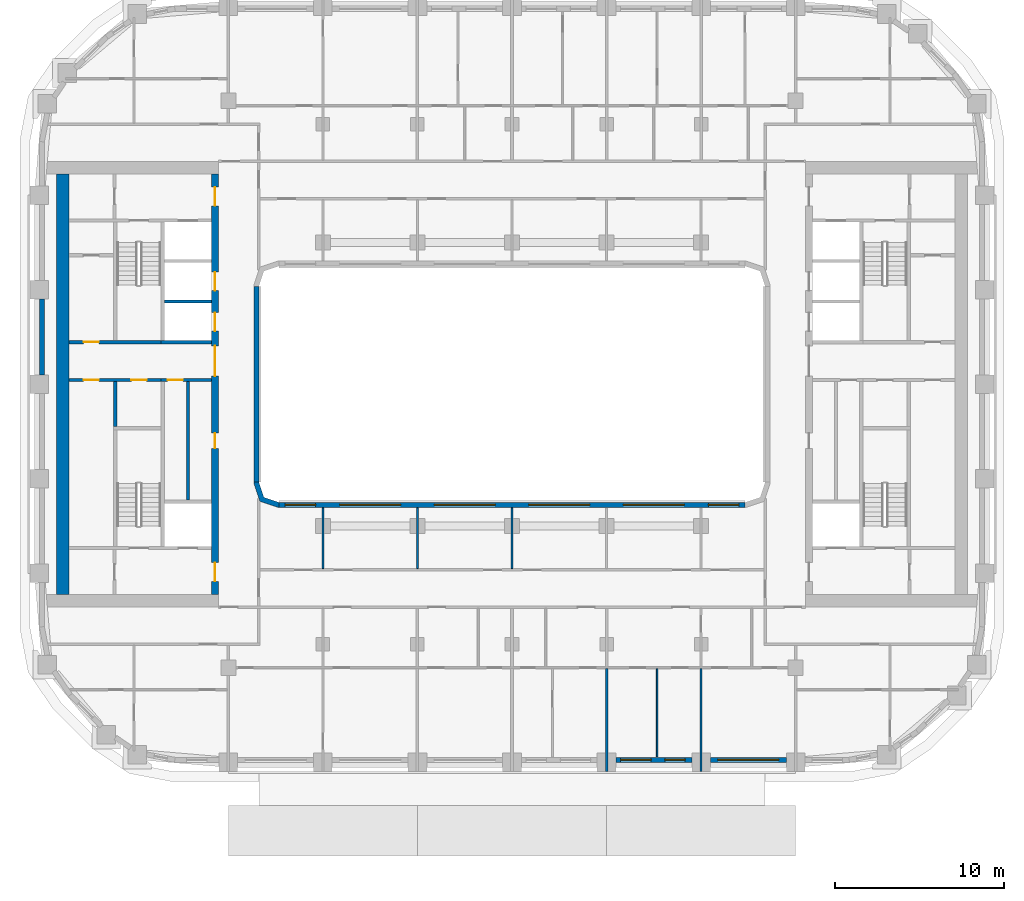
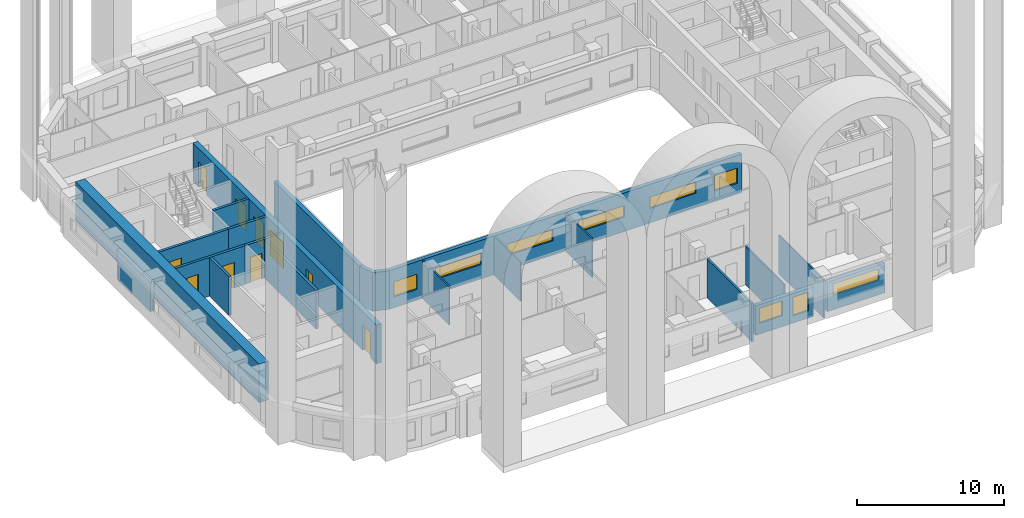
# One storey, part 4 of 18: 21 walls, 10 doors, 9 windows, 19 openings.
"""IFC4 building model written with IfcOpenShell, lengths in metres."""

from ifc_helpers import new_model, si_unit, direction, frame, frame_2d, origin, place, context, subcontext, project, spatial, polyline, rectangle, outline, extrude, material, layer, layer_set, type_object, element, fill, save


model = new_model("IFC4")

# Units and contexts
model_context = context("Model", 3, precision=1e-05, world=origin(), true_north=direction((0.0, 1.0)))
body_context = subcontext(model_context, "Body", "Model", "MODEL_VIEW")
ifc_project = project(units=[si_unit("LENGTHUNIT", "METRE"), si_unit("AREAUNIT", "SQUARE_METRE"), si_unit("VOLUMEUNIT", "CUBIC_METRE"), si_unit("PLANEANGLEUNIT", "RADIAN"), si_unit("MASSUNIT", "GRAM", prefix="KILO")], contexts=[model_context])

# Site, building, storey
site_placement = place(None, origin())
site = spatial("IfcSite", under=ifc_project, at=site_placement, CompositionType="ELEMENT")
building_placement = place(site_placement, origin())
building = spatial("IfcBuilding", under=site, at=building_placement, Name="Kiln Ring Residences", CompositionType="ELEMENT")
storey_placement = place(building_placement, frame((0.0, 0.0, 136.10009765625)))
storey = spatial("IfcBuildingStorey", under=building, at=storey_placement, Name="L34", CompositionType="ELEMENT", Elevation=136.10009765625)

# Wall
ifc_material_1 = material(Name="Gypsum board on steel studs", Category="steel")
ifc_layer_1 = layer(ifc_material_1, 0.199951171875)
ifc_layer_set_1 = layer_set([ifc_layer_1], Name="CORE-PARTITION-200")
wall_type_1 = type_object("IfcWallType", Name="CORE-PARTITION-200", PredefinedType="PARTITIONING", material=ifc_layer_set_1)
wall_1_placement = place(storey_placement, frame((-23.5, -2.5, 0.0), z_axis=(0.0, 0.0, 1.0), x_axis=(0.0, 1.0, 0.0)))
element("IfcWall", 1, at=wall_1_placement, inside=storey, type_object=wall_type_1, Name="Core partition west L34 1", PredefinedType="PARTITIONING", context=body_context, shape_type="SweptSolid", body=[
    extrude(rectangle(XDim=2.64990234375, YDim=0.199951171875, at=frame_2d((1.324951171875, 0.0))), origin(), (0.0, 0.0, 1.0), 3.199951171875),
])

# Wall, openings, doors
wall_2_placement = place(storey_placement, frame((-20.800048828125, 0.25, 0.0), z_axis=(0.0, 0.0, 1.0), x_axis=(-1.0, 0.0, 0.0)))
wall_2 = element("IfcWall", 2, at=wall_2_placement, inside=storey, type_object=wall_type_1, Name="Core partition west L34 2", PredefinedType="PARTITIONING", context=body_context, shape_type="SweptSolid", body=[
    extrude(rectangle(XDim=5.449951171875, YDim=0.199951171875, at=frame_2d((2.72509765625, 0.0))), origin(), (0.0, 0.0, 1.0), 3.199951171875),
])
opening_1_placement = place(wall_2_placement, frame((0.85009765625, 0.0, 0.0)))
opening_1 = element("IfcOpeningElement", 3, at=opening_1_placement, cuts=wall_2, Name="Opening L34-CW14", PredefinedType="OPENING", context=body_context, shape_type="SweptSolid", body=[
    extrude(rectangle(XDim=0.89990234375, YDim=2.10009765625, at=frame_2d((0.449951171875, 1.050048828125))), frame((0.0, 0.10986328125, 0.0), z_axis=(0.0, -1.0, 0.0), x_axis=(1.0, 0.0, 0.0)), (0.0, 0.0, 1.0), 0.219970703125),
])
opening_2_placement = place(wall_2_placement, frame((3.675048828125, 0.0, 0.0)))
opening_2 = element("IfcOpeningElement", 4, at=opening_2_placement, cuts=wall_2, Name="Opening L34-CW15", PredefinedType="OPENING", context=body_context, shape_type="SweptSolid", body=[
    extrude(rectangle(XDim=0.89990234375, YDim=2.10009765625, at=frame_2d((0.449951171875, 1.050048828125))), frame((0.0, 0.10986328125, 0.0), z_axis=(0.0, -1.0, 0.0), x_axis=(1.0, 0.0, 0.0)), (0.0, 0.0, 1.0), 0.219970703125),
])
ifc_material_2 = material(Name="Steel door leaf", Category="steel")
door_type_1 = type_object("IfcDoorType", Name="CORE-DOOR-ROOM", OperationType="SINGLE_SWING_LEFT", PredefinedType="DOOR", material=ifc_material_2)
door_1_placement = place(opening_1_placement, origin())
door_1 = element("IfcDoor", 5, at=door_1_placement, inside=storey, type_object=door_type_1, Name="Refuse and recycling room L34-CW14", OperationType="SINGLE_SWING_RIGHT", OverallHeight=2.10009765625, OverallWidth=0.89990234375, PredefinedType="DOOR", context=body_context, shape_type="SweptSolid", body=[
    extrude(rectangle(XDim=0.89990234375, YDim=2.10009765625, at=frame_2d((0.449951171875, 1.050048828125))), frame((0.0, 0.02490234375, 0.0), z_axis=(0.0, -1.0, 0.0), x_axis=(1.0, 0.0, 0.0)), (0.0, 0.0, 1.0), 0.050048828125),
])
fill(opening_1, door_1)
door_2_placement = place(opening_2_placement, origin())
door_2 = element("IfcDoor", 6, at=door_2_placement, inside=storey, type_object=door_type_1, Name="Water tank room L34-CW15", OperationType="SINGLE_SWING_LEFT", OverallHeight=2.10009765625, OverallWidth=0.89990234375, PredefinedType="DOOR", context=body_context, shape_type="SweptSolid", body=[
    extrude(rectangle(XDim=0.89990234375, YDim=2.10009765625, at=frame_2d((0.449951171875, 1.050048828125))), frame((0.0, 0.02490234375, 0.0), z_axis=(0.0, -1.0, 0.0), x_axis=(1.0, 0.0, 0.0)), (0.0, 0.0, 1.0), 0.050048828125),
])
fill(opening_2, door_2)

# Wall
wall_3_placement = place(storey_placement, frame((-19.199951171875, -6.85009765625, 0.0), z_axis=(0.0, 0.0, 1.0), x_axis=(0.0, 1.0, 0.0)))
element("IfcWall", 7, at=wall_3_placement, inside=storey, type_object=wall_type_1, Name="Core partition west L34 3", PredefinedType="PARTITIONING", context=body_context, shape_type="SweptSolid", body=[
    extrude(rectangle(XDim=7.0, YDim=0.199951171875, at=frame_2d((3.5, 0.0))), origin(), (0.0, 0.0, 1.0), 3.199951171875),
])

# Wall, opening, door
ifc_material_3 = material(Name="Gypsum shaft wall system")
ifc_layer_2 = layer(ifc_material_3, 0.199951171875)
ifc_layer_set_2 = layer_set([ifc_layer_2], Name="CORE-SHAFT-WALL-200")
wall_type_2 = type_object("IfcWallType", Name="CORE-SHAFT-WALL-200", PredefinedType="PARTITIONING", material=ifc_layer_set_2)
wall_4_placement = place(storey_placement, frame((-17.800048828125, 0.25, 0.0), z_axis=(0.0, 0.0, 1.0), x_axis=(-1.0, 0.0, 0.0)))
wall_4 = element("IfcWall", 8, at=wall_4_placement, inside=storey, type_object=wall_type_2, Name="Core partition west L34 8", PredefinedType="PARTITIONING", context=body_context, shape_type="SweptSolid", body=[
    extrude(rectangle(XDim=3.0, YDim=0.199951171875, at=frame_2d((1.5, 0.0))), origin(), (0.0, 0.0, 1.0), 3.199951171875),
])
opening_3_placement = place(wall_4_placement, frame((1.699951171875, 0.0, 0.0)))
opening_3 = element("IfcOpeningElement", 9, at=opening_3_placement, cuts=wall_4, Name="Opening L34-CW03", PredefinedType="OPENING", context=body_context, shape_type="SweptSolid", body=[
    extrude(rectangle(XDim=0.89990234375, YDim=2.10009765625, at=frame_2d((0.449951171875, 1.050048828125))), frame((0.0, 0.10986328125, 0.0), z_axis=(0.0, -1.0, 0.0), x_axis=(1.0, 0.0, 0.0)), (0.0, 0.0, 1.0), 0.219970703125),
])
door_3_placement = place(opening_3_placement, origin())
door_3 = element("IfcDoor", 10, at=door_3_placement, inside=storey, type_object=door_type_1, Name="Locker store L34-CW03", OperationType="SINGLE_SWING_LEFT", OverallHeight=2.10009765625, OverallWidth=0.89990234375, PredefinedType="DOOR", context=body_context, shape_type="SweptSolid", body=[
    extrude(rectangle(XDim=0.89990234375, YDim=2.10009765625, at=frame_2d((0.449951171875, 1.050048828125))), frame((0.0, 0.02490234375, 0.0), z_axis=(0.0, -1.0, 0.0), x_axis=(1.0, 0.0, 0.0)), (0.0, 0.0, 1.0), 0.050048828125),
])
fill(opening_3, door_3)

# Walls
wall_5_placement = place(storey_placement, frame((-17.800048828125, 2.5, 0.0), z_axis=(0.0, 0.0, 1.0), x_axis=(-1.0, 0.0, 0.0)))
element("IfcWall", 11, at=wall_5_placement, inside=storey, type_object=wall_type_2, Name="Core partition west L34 9", PredefinedType="PARTITIONING", context=body_context, shape_type="SweptSolid", body=[
    extrude(rectangle(XDim=3.0, YDim=0.199951171875, at=frame_2d((1.5, 0.0))), origin(), (0.0, 0.0, 1.0), 3.199951171875),
])
wall_6_placement = place(storey_placement, frame((-17.800048828125, 4.89990234375, 0.0), z_axis=(0.0, 0.0, 1.0), x_axis=(-1.0, 0.0, 0.0)))
element("IfcWall", 12, at=wall_6_placement, inside=storey, type_object=wall_type_2, Name="Core partition west L34 10", PredefinedType="PARTITIONING", context=body_context, shape_type="SweptSolid", body=[
    extrude(rectangle(XDim=2.800048828125, YDim=0.199951171875, at=frame_2d((1.39990234375, 0.0))), origin(), (0.0, 0.0, 1.0), 3.199951171875),
])

# Wall, opening, door
ifc_material_4 = material(Name="Concrete C40/50", Category="concrete")
ifc_layer_3 = layer(ifc_material_4, 0.199951171875)
ifc_layer_set_3 = layer_set([ifc_layer_3], Name="CORE-WALL-RC200")
wall_type_3 = type_object("IfcWallType", Name="CORE-WALL-RC200", PredefinedType="SHEAR", material=ifc_layer_set_3)
wall_7_placement = place(storey_placement, frame((-20.800048828125, 2.5, 0.0), z_axis=(0.0, 0.0, 1.0), x_axis=(-1.0, 0.0, 0.0)))
wall_7 = element("IfcWall", 13, at=wall_7_placement, inside=storey, type_object=wall_type_3, Name="Core wall west L34 3", PredefinedType="SHEAR", context=body_context, shape_type="SweptSolid", body=[
    extrude(rectangle(XDim=5.449951171875, YDim=0.199951171875, at=frame_2d((2.72509765625, 0.0))), origin(), (0.0, 0.0, 1.0), 3.199951171875),
])
opening_4_placement = place(wall_7_placement, frame((3.675048828125, 0.0, 0.0)))
opening_4 = element("IfcOpeningElement", 14, at=opening_4_placement, cuts=wall_7, Name="Opening L34-CW17", PredefinedType="OPENING", context=body_context, shape_type="SweptSolid", body=[
    extrude(rectangle(XDim=0.89990234375, YDim=2.10009765625, at=frame_2d((0.449951171875, 1.050048828125))), frame((0.0, 0.10986328125, 0.0), z_axis=(0.0, -1.0, 0.0), x_axis=(1.0, 0.0, 0.0)), (0.0, 0.0, 1.0), 0.219970703125),
])
door_4_placement = place(opening_4_placement, origin())
door_4 = element("IfcDoor", 15, at=door_4_placement, inside=storey, type_object=door_type_1, Name="Electrical plant room L34-CW17", OperationType="SINGLE_SWING_RIGHT", OverallHeight=2.10009765625, OverallWidth=0.89990234375, PredefinedType="DOOR", context=body_context, shape_type="SweptSolid", body=[
    extrude(rectangle(XDim=0.89990234375, YDim=2.10009765625, at=frame_2d((0.449951171875, 1.050048828125))), frame((0.0, 0.02490234375, 0.0), z_axis=(0.0, -1.0, 0.0), x_axis=(1.0, 0.0, 0.0)), (0.0, 0.0, 1.0), 0.050048828125),
])
fill(opening_4, door_4)

# Wall, openings, doors
ifc_material_5 = material(Name="Concrete C60/75", Category="concrete")
ifc_layer_4 = layer(ifc_material_5, 0.39990234375)
ifc_layer_set_4 = layer_set([ifc_layer_4], Name="CORE-WALL-RC400")
wall_type_4 = type_object("IfcWallType", Name="CORE-WALL-RC400", PredefinedType="SHEAR", material=ifc_layer_set_4)
wall_8_placement = place(storey_placement, frame((-17.60009765625, -12.449951171875, 0.0), z_axis=(0.0, 0.0, 1.0), x_axis=(0.0, 1.0, 0.0)))
wall_8 = element("IfcWall", 16, at=wall_8_placement, inside=storey, type_object=wall_type_4, Name="Core wall west L34 6", PredefinedType="SHEAR", context=body_context, shape_type="SweptSolid", body=[
    extrude(rectangle(XDim=24.89990234375, YDim=0.39990234375, at=frame_2d((12.449951171875, 0.0))), origin(), (0.0, 0.0, 1.0), 3.199951171875),
])
opening_5_placement = place(wall_8_placement, frame((8.64990234375, 0.0, 0.0)))
opening_5 = element("IfcOpeningElement", 17, at=opening_5_placement, cuts=wall_8, Name="Opening L34-CW02", PredefinedType="OPENING", context=body_context, shape_type="SweptSolid", body=[
    extrude(rectangle(XDim=0.89990234375, YDim=2.10009765625, at=frame_2d((0.449951171875, 1.050048828125))), frame((0.0, 0.2099609375, 0.0), z_axis=(0.0, -1.0, 0.0), x_axis=(1.0, 0.0, 0.0)), (0.0, 0.0, 1.0), 0.419921875),
])
opening_6_placement = place(wall_8_placement, frame((15.60009765625, 0.0, 0.0)))
opening_6 = element("IfcOpeningElement", 18, at=opening_6_placement, cuts=wall_8, Name="Opening L34-CW04", PredefinedType="OPENING", context=body_context, shape_type="SweptSolid", body=[
    extrude(rectangle(XDim=1.10009765625, YDim=2.10009765625, at=frame_2d((0.550048828125, 1.050048828125))), frame((0.0, 0.2099609375, 0.0), z_axis=(0.0, -1.0, 0.0), x_axis=(1.0, 0.0, 0.0)), (0.0, 0.0, 1.0), 0.419921875),
])
opening_7_placement = place(wall_8_placement, frame((18.0, 0.0, 0.0)))
opening_7 = element("IfcOpeningElement", 19, at=opening_7_placement, cuts=wall_8, Name="Opening L34-CW05", PredefinedType="OPENING", context=body_context, shape_type="SweptSolid", body=[
    extrude(rectangle(XDim=1.10009765625, YDim=2.10009765625, at=frame_2d((0.550048828125, 1.050048828125))), frame((0.0, 0.2099609375, 0.0), z_axis=(0.0, -1.0, 0.0), x_axis=(1.0, 0.0, 0.0)), (0.0, 0.0, 1.0), 0.419921875),
])
opening_8_placement = place(wall_8_placement, frame((23.02490234375, 0.0, 0.0)))
opening_8 = element("IfcOpeningElement", 20, at=opening_8_placement, cuts=wall_8, Name="Opening L34-CW07", PredefinedType="OPENING", context=body_context, shape_type="SweptSolid", body=[
    extrude(rectangle(XDim=1.10009765625, YDim=2.10009765625, at=frame_2d((0.550048828125, 1.050048828125))), frame((0.0, 0.2099609375, 0.0), z_axis=(0.0, -1.0, 0.0), x_axis=(1.0, 0.0, 0.0)), (0.0, 0.0, 1.0), 0.419921875),
])
opening_9_placement = place(wall_8_placement, frame((0.77490234375, 0.0, 0.0)))
opening_9 = element("IfcOpeningElement", 21, at=opening_9_placement, cuts=wall_8, Name="Opening L34-CW08", PredefinedType="OPENING", context=body_context, shape_type="SweptSolid", body=[
    extrude(rectangle(XDim=1.10009765625, YDim=2.10009765625, at=frame_2d((0.550048828125, 1.050048828125))), frame((0.0, 0.2099609375, 0.0), z_axis=(0.0, -1.0, 0.0), x_axis=(1.0, 0.0, 0.0)), (0.0, 0.0, 1.0), 0.419921875),
])
opening_10_placement = place(wall_8_placement, frame((12.925048828125, 0.0, 0.0)))
opening_10 = element("IfcOpeningElement", 22, at=opening_10_placement, cuts=wall_8, Name="Opening L34-CW13", PredefinedType="OPENING", context=body_context, shape_type="SweptSolid", body=[
    extrude(rectangle(XDim=1.800048828125, YDim=2.10009765625, at=frame_2d((0.89990234375, 1.050048828125))), frame((0.0, 0.2099609375, 0.0), z_axis=(0.0, -1.0, 0.0), x_axis=(1.0, 0.0, 0.0)), (0.0, 0.0, 1.0), 0.419921875),
])
ifc_material_6 = material(Name="Steel door leaf", Category="steel")
door_type_2 = type_object("IfcDoorType", Name="CORE-DOOR-LD", OperationType="DOUBLE_DOOR_SLIDING", PredefinedType="DOOR", material=ifc_material_6)
door_5_placement = place(opening_6_placement, origin())
door_5 = element("IfcDoor", 23, at=door_5_placement, inside=storey, type_object=door_type_2, Name="LD W-M1 L34-CW04", OperationType="DOUBLE_DOOR_SLIDING", OverallHeight=2.10009765625, OverallWidth=1.10009765625, PredefinedType="DOOR", context=body_context, shape_type="SweptSolid", body=[
    extrude(rectangle(XDim=1.10009765625, YDim=2.10009765625, at=frame_2d((0.550048828125, 1.050048828125))), frame((0.0, 0.02490234375, 0.0), z_axis=(0.0, -1.0, 0.0), x_axis=(1.0, 0.0, 0.0)), (0.0, 0.0, 1.0), 0.050048828125),
])
fill(opening_6, door_5)
door_6_placement = place(opening_7_placement, origin())
door_6 = element("IfcDoor", 24, at=door_6_placement, inside=storey, type_object=door_type_2, Name="LD W-M2 L34-CW05", OperationType="DOUBLE_DOOR_SLIDING", OverallHeight=2.10009765625, OverallWidth=1.10009765625, PredefinedType="DOOR", context=body_context, shape_type="SweptSolid", body=[
    extrude(rectangle(XDim=1.10009765625, YDim=2.10009765625, at=frame_2d((0.550048828125, 1.050048828125))), frame((0.0, 0.02490234375, 0.0), z_axis=(0.0, -1.0, 0.0), x_axis=(1.0, 0.0, 0.0)), (0.0, 0.0, 1.0), 0.050048828125),
])
fill(opening_7, door_6)
ifc_material_7 = material(Name="Steel door leaf", Category="steel")
door_type_3 = type_object("IfcDoorType", Name="CORE-DOOR-LOBBY", OperationType="SINGLE_SWING_LEFT", PredefinedType="DOOR", material=ifc_material_7)
door_7_placement = place(opening_8_placement, origin())
door_7 = element("IfcDoor", 25, at=door_7_placement, inside=storey, type_object=door_type_3, Name="FFL L34-CW07", OperationType="SINGLE_SWING_RIGHT", OverallHeight=2.10009765625, OverallWidth=1.10009765625, PredefinedType="DOOR", context=body_context, shape_type="SweptSolid", body=[
    extrude(rectangle(XDim=1.10009765625, YDim=2.10009765625, at=frame_2d((0.550048828125, 1.050048828125))), frame((0.0, 0.02490234375, 0.0), z_axis=(0.0, -1.0, 0.0), x_axis=(1.0, 0.0, 0.0)), (0.0, 0.0, 1.0), 0.050048828125),
])
fill(opening_8, door_7)
door_8_placement = place(opening_9_placement, origin())
door_8 = element("IfcDoor", 26, at=door_8_placement, inside=storey, type_object=door_type_3, Name="SVL L34-CW08", OperationType="SINGLE_SWING_LEFT", OverallHeight=2.10009765625, OverallWidth=1.10009765625, PredefinedType="DOOR", context=body_context, shape_type="SweptSolid", body=[
    extrude(rectangle(XDim=1.10009765625, YDim=2.10009765625, at=frame_2d((0.550048828125, 1.050048828125))), frame((0.0, 0.02490234375, 0.0), z_axis=(0.0, -1.0, 0.0), x_axis=(1.0, 0.0, 0.0)), (0.0, 0.0, 1.0), 0.050048828125),
])
fill(opening_9, door_8)
ifc_material_8 = material(Name="Steel door leaf", Category="steel")
door_type_4 = type_object("IfcDoorType", Name="CORE-DOOR-PASS", OperationType="DOUBLE_DOOR_SINGLE_SWING", PredefinedType="DOOR", material=ifc_material_8)
door_9_placement = place(opening_10_placement, origin())
door_9 = element("IfcDoor", 27, at=door_9_placement, inside=storey, type_object=door_type_4, Name="Core passage L34-CW13", OperationType="DOUBLE_DOOR_SINGLE_SWING", OverallHeight=2.10009765625, OverallWidth=1.800048828125, PredefinedType="DOOR", context=body_context, shape_type="SweptSolid", body=[
    extrude(rectangle(XDim=1.800048828125, YDim=2.10009765625, at=frame_2d((0.89990234375, 1.050048828125))), frame((0.0, 0.02490234375, 0.0), z_axis=(0.0, -1.0, 0.0), x_axis=(1.0, 0.0, 0.0)), (0.0, 0.0, 1.0), 0.050048828125),
])
fill(opening_10, door_9)
door_10_placement = place(opening_5_placement, origin())
door_10 = element("IfcDoor", 28, at=door_10_placement, inside=storey, type_object=door_type_1, Name="Storage room L34-CW02", OperationType="SINGLE_SWING_RIGHT", OverallHeight=2.10009765625, OverallWidth=0.89990234375, PredefinedType="DOOR", context=body_context, shape_type="SweptSolid", body=[
    extrude(rectangle(XDim=0.89990234375, YDim=2.10009765625, at=frame_2d((0.449951171875, 1.050048828125))), frame((0.0, 0.02490234375, 0.0), z_axis=(0.0, -1.0, 0.0), x_axis=(1.0, 0.0, 0.0)), (0.0, 0.0, 1.0), 0.050048828125),
])
fill(opening_5, door_10)

# Wall
ifc_material_9 = material(Name="Concrete C60/75", Category="concrete")
ifc_layer_5 = layer(ifc_material_9, 0.75)
ifc_layer_set_5 = layer_set([ifc_layer_5], Name="CORE-WALL-RC750")
wall_type_5 = type_object("IfcWallType", Name="CORE-WALL-RC750", PredefinedType="SHEAR", material=ifc_layer_set_5)
wall_9_placement = place(storey_placement, frame((-26.625, -12.449951171875, 0.0), z_axis=(0.0, 0.0, 1.0), x_axis=(0.0, 1.0, 0.0)))
element("IfcWall", 29, at=wall_9_placement, inside=storey, type_object=wall_type_5, Name="Core wall west L34 7", PredefinedType="SHEAR", context=body_context, shape_type="SweptSolid", body=[
    extrude(rectangle(XDim=24.89990234375, YDim=0.75, at=frame_2d((12.449951171875, 0.0))), origin(), (0.0, 0.0, 1.0), 3.199951171875),
])

# Wall, openings, windows
ifc_material_10 = material(Name="Brick masonry, dark clay brick", Category="masonry")
ifc_layer_6 = layer(ifc_material_10, 0.300048828125)
ifc_layer_set_6 = layer_set([ifc_layer_6], Name="EW-300 BRICK WALL")
wall_type_6 = type_object("IfcWallType", Name="EW-300 BRICK WALL", PredefinedType="SOLIDWALL", material=ifc_layer_set_6)
wall_10_placement = place(storey_placement, frame((6.14990234375, -22.25, 0.0), z_axis=(0.0, 0.0, 1.0), x_axis=(1.0, 0.0, 0.0)))
wall_10 = element("IfcWall", 30, at=wall_10_placement, inside=storey, type_object=wall_type_6, Name="Facade wall L34 9", PredefinedType="SOLIDWALL", context=body_context, shape_type="SweptSolid", body=[
    extrude(rectangle(XDim=4.5, YDim=0.300048828125, at=frame_2d((2.25, 0.0))), origin(), (0.0, 0.0, 1.0), 2.449951171875),
])
opening_11_placement = place(wall_10_placement, frame((0.28759765625, 0.0, 0.89990234375)))
opening_11 = element("IfcOpeningElement", 31, at=opening_11_placement, cuts=wall_10, Name="Opening W2", PredefinedType="OPENING", context=body_context, shape_type="SweptSolid", body=[
    extrude(rectangle(XDim=1.800048828125, YDim=1.25, at=frame_2d((0.89990234375, 0.625))), frame((0.0, 0.159912109375, 0.0), z_axis=(0.0, -1.0, 0.0), x_axis=(1.0, 0.0, 0.0)), (0.0, 0.0, 1.0), 0.320068359375),
])
opening_12_placement = place(wall_10_placement, frame((2.91259765625, 0.0, 0.60009765625)))
opening_12 = element("IfcOpeningElement", 32, at=opening_12_placement, cuts=wall_10, Name="Opening W1", PredefinedType="OPENING", context=body_context, shape_type="SweptSolid", body=[
    extrude(rectangle(XDim=1.199951171875, YDim=1.550048828125, at=frame_2d((0.60009765625, 0.77490234375))), frame((0.0, 0.159912109375, 0.0), z_axis=(0.0, -1.0, 0.0), x_axis=(1.0, 0.0, 0.0)), (0.0, 0.0, 1.0), 0.320068359375),
])
ifc_material_11 = material(Name="Aluminium frame with double glazing", Category="aluminium")
window_type_1 = type_object("IfcWindowType", Name="WINDOW 1200 x 1550", PartitioningType="SINGLE_PANEL", PredefinedType="WINDOW", material=ifc_material_11)
window_1_placement = place(opening_12_placement, origin())
window_1 = element("IfcWindow", 33, at=window_1_placement, inside=storey, type_object=window_type_1, Name="Window L34 10", OverallHeight=1.550048828125, OverallWidth=1.199951171875, PartitioningType="SINGLE_PANEL", PredefinedType="WINDOW", context=body_context, shape_type="SweptSolid", body=[
    extrude(rectangle(XDim=1.199951171875, YDim=1.550048828125, at=frame_2d((0.60009765625, 0.77490234375))), frame((0.0, 0.030029296875, 0.0), z_axis=(0.0, -1.0, 0.0), x_axis=(1.0, 0.0, 0.0)), (0.0, 0.0, 1.0), 0.06005859375),
])
fill(opening_12, window_1)
ifc_material_12 = material(Name="Aluminium frame with double glazing", Category="aluminium")
window_type_2 = type_object("IfcWindowType", Name="WINDOW 1800 x 1250", PartitioningType="SINGLE_PANEL", PredefinedType="WINDOW", material=ifc_material_12)
window_2_placement = place(opening_11_placement, origin())
window_2 = element("IfcWindow", 34, at=window_2_placement, inside=storey, type_object=window_type_2, Name="Window L34 9", OverallHeight=1.25, OverallWidth=1.800048828125, PartitioningType="SINGLE_PANEL", PredefinedType="WINDOW", context=body_context, shape_type="SweptSolid", body=[
    extrude(rectangle(XDim=1.800048828125, YDim=1.25, at=frame_2d((0.89990234375, 0.625))), frame((0.0, 0.030029296875, 0.0), z_axis=(0.0, -1.0, 0.0), x_axis=(1.0, 0.0, 0.0)), (0.0, 0.0, 1.0), 0.06005859375),
])
fill(opening_11, window_2)

# Wall, opening, window
wall_11_placement = place(storey_placement, frame((11.75, -22.25, 0.0), z_axis=(0.0, 0.0, 1.0), x_axis=(1.0, 0.0, 0.0)))
wall_11 = element("IfcWall", 35, at=wall_11_placement, inside=storey, type_object=wall_type_6, Name="Facade wall L34 10", PredefinedType="SOLIDWALL", context=body_context, shape_type="SweptSolid", body=[
    extrude(rectangle(XDim=4.5, YDim=0.300048828125, at=frame_2d((2.25, 0.0))), origin(), (0.0, 0.0, 1.0), 2.449951171875),
])
opening_13_placement = place(wall_11_placement, frame((0.449951171875, 0.0, 1.199951171875)))
opening_13 = element("IfcOpeningElement", 36, at=opening_13_placement, cuts=wall_11, Name="Opening W4", PredefinedType="OPENING", context=body_context, shape_type="SweptSolid", body=[
    extrude(rectangle(XDim=3.60009765625, YDim=0.949951171875, at=frame_2d((1.800048828125, 0.47509765625))), frame((0.0, 0.159912109375, 0.0), z_axis=(0.0, -1.0, 0.0), x_axis=(1.0, 0.0, 0.0)), (0.0, 0.0, 1.0), 0.320068359375),
])
ifc_material_13 = material(Name="Aluminium frame with double glazing", Category="aluminium")
window_type_3 = type_object("IfcWindowType", Name="WINDOW 3600 x 950", PartitioningType="SINGLE_PANEL", PredefinedType="WINDOW", material=ifc_material_13)
window_3_placement = place(opening_13_placement, origin())
window_3 = element("IfcWindow", 37, at=window_3_placement, inside=storey, type_object=window_type_3, Name="Window L34 11", OverallHeight=0.949951171875, OverallWidth=3.60009765625, PartitioningType="SINGLE_PANEL", PredefinedType="WINDOW", context=body_context, shape_type="SweptSolid", body=[
    extrude(rectangle(XDim=3.60009765625, YDim=0.949951171875, at=frame_2d((1.800048828125, 0.47509765625))), frame((0.0, 0.030029296875, 0.0), z_axis=(0.0, -1.0, 0.0), x_axis=(1.0, 0.0, 0.0)), (0.0, 0.0, 1.0), 0.06005859375),
])
fill(opening_13, window_3)

# Walls
wall_12_placement = place(storey_placement, frame((-27.85009765625, 5.050048828125, 0.0), z_axis=(0.0, 0.0, 1.0), x_axis=(0.0, -1.0, 0.0)))
element("IfcWall", 38, at=wall_12_placement, inside=storey, type_object=wall_type_6, Name="Facade wall L34 43", PredefinedType="SOLIDWALL", context=body_context, shape_type="SweptSolid", body=[
    extrude(rectangle(XDim=4.5, YDim=0.300048828125, at=frame_2d((2.25, 0.0))), origin(), (0.0, 0.0, 1.0), 2.449951171875),
])
wall_13_placement = place(storey_placement, frame((-15.14990234375, -5.800048828125, 0.0), z_axis=(0.0, 0.0, 1.0), x_axis=(0.0, 1.0, 0.0)))
element("IfcWall", 39, at=wall_13_placement, inside=storey, type_object=wall_type_6, Name="Facade wall L34 49", PredefinedType="SOLIDWALL", context=body_context, shape_type="SweptSolid", body=[
    extrude(rectangle(XDim=11.60009765625, YDim=0.300048828125, at=frame_2d((5.800048828125, 0.0))), origin(), (0.0, 0.0, 1.0), 3.199951171875),
])

# Wall, openings, windows
wall_14_placement = place(storey_placement, frame((13.800048828125, -7.14990234375, 0.0), z_axis=(0.0, 0.0, 1.0), x_axis=(-1.0, 0.0, 0.0)))
wall_14 = element("IfcWall", 40, at=wall_14_placement, inside=storey, type_object=wall_type_6, Name="Facade wall L34 52", PredefinedType="SOLIDWALL", context=body_context, shape_type="SweptSolid", body=[
    extrude(rectangle(XDim=27.60009765625, YDim=0.300048828125, at=frame_2d((13.800048828125, 0.0))), origin(), (0.0, 0.0, 1.0), 3.199951171875),
])
opening_14_placement = place(wall_14_placement, frame((0.362548828125, 0.0, 0.89990234375)))
opening_14 = element("IfcOpeningElement", 41, at=opening_14_placement, cuts=wall_14, Name="Opening W2", PredefinedType="OPENING", context=body_context, shape_type="SweptSolid", body=[
    extrude(rectangle(XDim=1.800048828125, YDim=1.25, at=frame_2d((0.89990234375, 0.625))), frame((0.0, 0.159912109375, 0.0), z_axis=(0.0, -1.0, 0.0), x_axis=(1.0, 0.0, 0.0)), (0.0, 0.0, 1.0), 0.320068359375),
])
opening_15_placement = place(wall_14_placement, frame((3.60009765625, 0.0, 1.199951171875)))
opening_15 = element("IfcOpeningElement", 42, at=opening_15_placement, cuts=wall_14, Name="Opening W4", PredefinedType="OPENING", context=body_context, shape_type="SweptSolid", body=[
    extrude(rectangle(XDim=3.60009765625, YDim=0.949951171875, at=frame_2d((1.800048828125, 0.47509765625))), frame((0.0, 0.159912109375, 0.0), z_axis=(0.0, -1.0, 0.0), x_axis=(1.0, 0.0, 0.0)), (0.0, 0.0, 1.0), 0.320068359375),
])
opening_16_placement = place(wall_14_placement, frame((9.199951171875, 0.0, 1.199951171875)))
opening_16 = element("IfcOpeningElement", 43, at=opening_16_placement, cuts=wall_14, Name="Opening W4", PredefinedType="OPENING", context=body_context, shape_type="SweptSolid", body=[
    extrude(rectangle(XDim=3.60009765625, YDim=0.949951171875, at=frame_2d((1.800048828125, 0.47509765625))), frame((0.0, 0.159912109375, 0.0), z_axis=(0.0, -1.0, 0.0), x_axis=(1.0, 0.0, 0.0)), (0.0, 0.0, 1.0), 0.320068359375),
])
opening_17_placement = place(wall_14_placement, frame((14.800048828125, 0.0, 1.199951171875)))
opening_17 = element("IfcOpeningElement", 44, at=opening_17_placement, cuts=wall_14, Name="Opening W4", PredefinedType="OPENING", context=body_context, shape_type="SweptSolid", body=[
    extrude(rectangle(XDim=3.60009765625, YDim=0.949951171875, at=frame_2d((1.800048828125, 0.47509765625))), frame((0.0, 0.159912109375, 0.0), z_axis=(0.0, -1.0, 0.0), x_axis=(1.0, 0.0, 0.0)), (0.0, 0.0, 1.0), 0.320068359375),
])
opening_18_placement = place(wall_14_placement, frame((20.39990234375, 0.0, 1.199951171875)))
opening_18 = element("IfcOpeningElement", 45, at=opening_18_placement, cuts=wall_14, Name="Opening W4", PredefinedType="OPENING", context=body_context, shape_type="SweptSolid", body=[
    extrude(rectangle(XDim=3.60009765625, YDim=0.949951171875, at=frame_2d((1.800048828125, 0.47509765625))), frame((0.0, 0.159912109375, 0.0), z_axis=(0.0, -1.0, 0.0), x_axis=(1.0, 0.0, 0.0)), (0.0, 0.0, 1.0), 0.320068359375),
])
opening_19_placement = place(wall_14_placement, frame((25.4375, 0.0, 0.89990234375)))
opening_19 = element("IfcOpeningElement", 46, at=opening_19_placement, cuts=wall_14, Name="Opening W2", PredefinedType="OPENING", context=body_context, shape_type="SweptSolid", body=[
    extrude(rectangle(XDim=1.800048828125, YDim=1.25, at=frame_2d((0.89990234375, 0.625))), frame((0.0, 0.159912109375, 0.0), z_axis=(0.0, -1.0, 0.0), x_axis=(1.0, 0.0, 0.0)), (0.0, 0.0, 1.0), 0.320068359375),
])
window_4_placement = place(opening_14_placement, origin())
window_4 = element("IfcWindow", 47, at=window_4_placement, inside=storey, type_object=window_type_2, Name="Window L34 39", OverallHeight=1.25, OverallWidth=1.800048828125, PartitioningType="SINGLE_PANEL", PredefinedType="WINDOW", context=body_context, shape_type="SweptSolid", body=[
    extrude(rectangle(XDim=1.800048828125, YDim=1.25, at=frame_2d((0.89990234375, 0.625))), frame((0.0, 0.030029296875, 0.0), z_axis=(0.0, -1.0, 0.0), x_axis=(1.0, 0.0, 0.0)), (0.0, 0.0, 1.0), 0.06005859375),
])
fill(opening_14, window_4)
window_5_placement = place(opening_19_placement, origin())
window_5 = element("IfcWindow", 48, at=window_5_placement, inside=storey, type_object=window_type_2, Name="Window L34 44", OverallHeight=1.25, OverallWidth=1.800048828125, PartitioningType="SINGLE_PANEL", PredefinedType="WINDOW", context=body_context, shape_type="SweptSolid", body=[
    extrude(rectangle(XDim=1.800048828125, YDim=1.25, at=frame_2d((0.89990234375, 0.625))), frame((0.0, 0.030029296875, 0.0), z_axis=(0.0, -1.0, 0.0), x_axis=(1.0, 0.0, 0.0)), (0.0, 0.0, 1.0), 0.06005859375),
])
fill(opening_19, window_5)
window_6_placement = place(opening_15_placement, origin())
window_6 = element("IfcWindow", 49, at=window_6_placement, inside=storey, type_object=window_type_3, Name="Window L34 40", OverallHeight=0.949951171875, OverallWidth=3.60009765625, PartitioningType="SINGLE_PANEL", PredefinedType="WINDOW", context=body_context, shape_type="SweptSolid", body=[
    extrude(rectangle(XDim=3.60009765625, YDim=0.949951171875, at=frame_2d((1.800048828125, 0.47509765625))), frame((0.0, 0.030029296875, 0.0), z_axis=(0.0, -1.0, 0.0), x_axis=(1.0, 0.0, 0.0)), (0.0, 0.0, 1.0), 0.06005859375),
])
fill(opening_15, window_6)
window_7_placement = place(opening_16_placement, origin())
window_7 = element("IfcWindow", 50, at=window_7_placement, inside=storey, type_object=window_type_3, Name="Window L34 41", OverallHeight=0.949951171875, OverallWidth=3.60009765625, PartitioningType="SINGLE_PANEL", PredefinedType="WINDOW", context=body_context, shape_type="SweptSolid", body=[
    extrude(rectangle(XDim=3.60009765625, YDim=0.949951171875, at=frame_2d((1.800048828125, 0.47509765625))), frame((0.0, 0.030029296875, 0.0), z_axis=(0.0, -1.0, 0.0), x_axis=(1.0, 0.0, 0.0)), (0.0, 0.0, 1.0), 0.06005859375),
])
fill(opening_16, window_7)
window_8_placement = place(opening_17_placement, origin())
window_8 = element("IfcWindow", 51, at=window_8_placement, inside=storey, type_object=window_type_3, Name="Window L34 42", OverallHeight=0.949951171875, OverallWidth=3.60009765625, PartitioningType="SINGLE_PANEL", PredefinedType="WINDOW", context=body_context, shape_type="SweptSolid", body=[
    extrude(rectangle(XDim=3.60009765625, YDim=0.949951171875, at=frame_2d((1.800048828125, 0.47509765625))), frame((0.0, 0.030029296875, 0.0), z_axis=(0.0, -1.0, 0.0), x_axis=(1.0, 0.0, 0.0)), (0.0, 0.0, 1.0), 0.06005859375),
])
fill(opening_17, window_8)
window_9_placement = place(opening_18_placement, origin())
window_9 = element("IfcWindow", 52, at=window_9_placement, inside=storey, type_object=window_type_3, Name="Window L34 43", OverallHeight=0.949951171875, OverallWidth=3.60009765625, PartitioningType="SINGLE_PANEL", PredefinedType="WINDOW", context=body_context, shape_type="SweptSolid", body=[
    extrude(rectangle(XDim=3.60009765625, YDim=0.949951171875, at=frame_2d((1.800048828125, 0.47509765625))), frame((0.0, 0.030029296875, 0.0), z_axis=(0.0, -1.0, 0.0), x_axis=(1.0, 0.0, 0.0)), (0.0, 0.0, 1.0), 0.06005859375),
])
fill(opening_18, window_9)

# Walls
wall_15_placement = place(storey_placement, origin())
element("IfcWall", 53, at=wall_15_placement, inside=storey, type_object=wall_type_6, Name="Corner wall L34 4", PredefinedType="SOLIDWALL", context=body_context, shape_type="SweptSolid", body=[
    extrude(outline(polyline([(-14.937255859375, -6.937255859375), (-13.8486328125, -7.300048828125), (-13.800048828125, -7.300048828125), (-13.800048828125, -7.0), (-14.699951171875, -6.699951171875), (-15.0, -5.800048828125), (-15.300048828125, -5.800048828125), (-15.300048828125, -5.8486328125), (-14.937255859375, -6.937255859375)])), origin(), (0.0, 0.0, 1.0), 3.199951171875),
])
ifc_material_14 = material(Name="Gypsum board on steel studs", Category="steel")
ifc_layer_7 = layer(ifc_material_14, 0.10009765625)
ifc_layer_set_7 = layer_set([ifc_layer_7], Name="PARTITION-100")
wall_type_7 = type_object("IfcWallType", Name="PARTITION-100", PredefinedType="PARTITIONING", material=ifc_layer_set_7)
for number, where, z_axis, x_axis, name in (
    (54, (-11.199951171875, -10.925048828125, 0.0), (0.0, 0.0, 1.0), (0.0, 1.0, 0.0), "Partition 026"),
    (55, (-5.60009765625, -10.925048828125, 0.0), (0.0, 0.0, 1.0), (0.0, 1.0, 0.0), "Partition 030"),
    (56, (0.0, -10.925048828125, 0.0), (0.0, 0.0, 1.0), (0.0, 1.0, 0.0), "Partition 039"),
):
    element("IfcWall", number, at=place(storey_placement, frame(where, z_axis=z_axis, x_axis=x_axis)), inside=storey, type_object=wall_type_7, Name=name, PredefinedType="PARTITIONING", context=body_context, shape_type="SweptSolid", body=[
        extrude(rectangle(XDim=3.60498046875, YDim=0.10009765625, at=frame_2d((1.802490234375, 0.0))), origin(), (0.0, 0.0, 1.0), 3.199951171875),
    ])
wall_16_placement = place(storey_placement, frame((8.60009765625, -22.080078125, 0.0), z_axis=(0.0, 0.0, 1.0), x_axis=(0.0, 1.0, 0.0)))
element("IfcWall", 57, at=wall_16_placement, inside=storey, type_object=wall_type_7, Name="Partition 056", PredefinedType="PARTITIONING", context=body_context, shape_type="SweptSolid", body=[
    extrude(rectangle(XDim=5.22998046875, YDim=0.10009765625, at=frame_2d((2.614990234375, 0.0))), origin(), (0.0, 0.0, 1.0), 3.199951171875),
])
wall_17_placement = place(storey_placement, frame((11.199951171875, -22.929931640625, 0.0), z_axis=(0.0, 0.0, 1.0), x_axis=(0.0, 1.0, 0.0)))
element("IfcWall", 58, at=wall_17_placement, inside=storey, type_object=wall_type_7, Name="Partition 058", PredefinedType="PARTITIONING", context=body_context, shape_type="SweptSolid", body=[
    extrude(rectangle(XDim=6.079833984375, YDim=0.10009765625, at=frame_2d((3.0400390625, 0.0))), origin(), (0.0, 0.0, 1.0), 3.199951171875),
])
ifc_material_15 = material(Name="Brick masonry partition", Category="masonry")
ifc_layer_8 = layer(ifc_material_15, 0.14990234375)
ifc_layer_set_8 = layer_set([ifc_layer_8], Name="PARTITION-150-ei60")
wall_type_8 = type_object("IfcWallType", Name="PARTITION-150-ei60", PredefinedType="PARTITIONING", material=ifc_layer_set_8)
wall_18_placement = place(storey_placement, frame((5.60009765625, -22.929931640625, 0.0), z_axis=(0.0, 0.0, 1.0), x_axis=(0.0, 1.0, 0.0)))
element("IfcWall", 59, at=wall_18_placement, inside=storey, type_object=wall_type_8, Name="Partition 051", PredefinedType="PARTITIONING", context=body_context, shape_type="SweptSolid", body=[
    extrude(rectangle(XDim=6.079833984375, YDim=0.14990234375, at=frame_2d((3.0400390625, 0.0))), origin(), (0.0, 0.0, 1.0), 3.199951171875),
])

save(model, "model.ifc")
